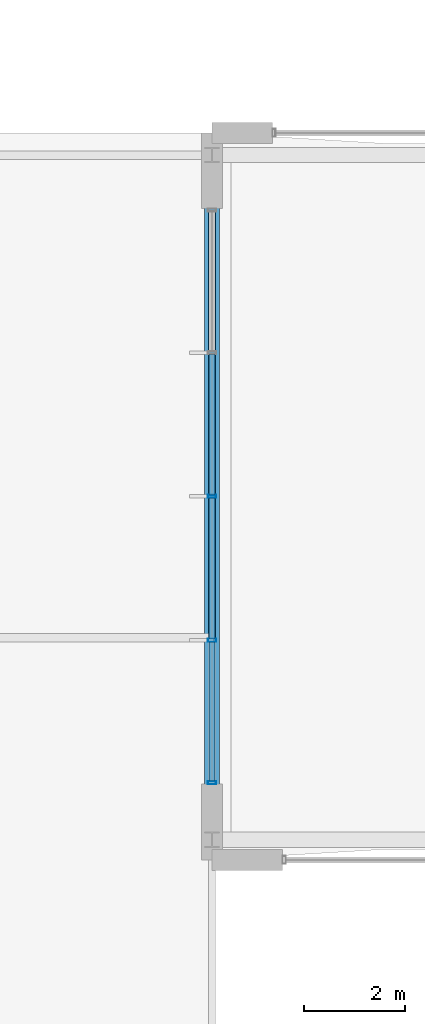
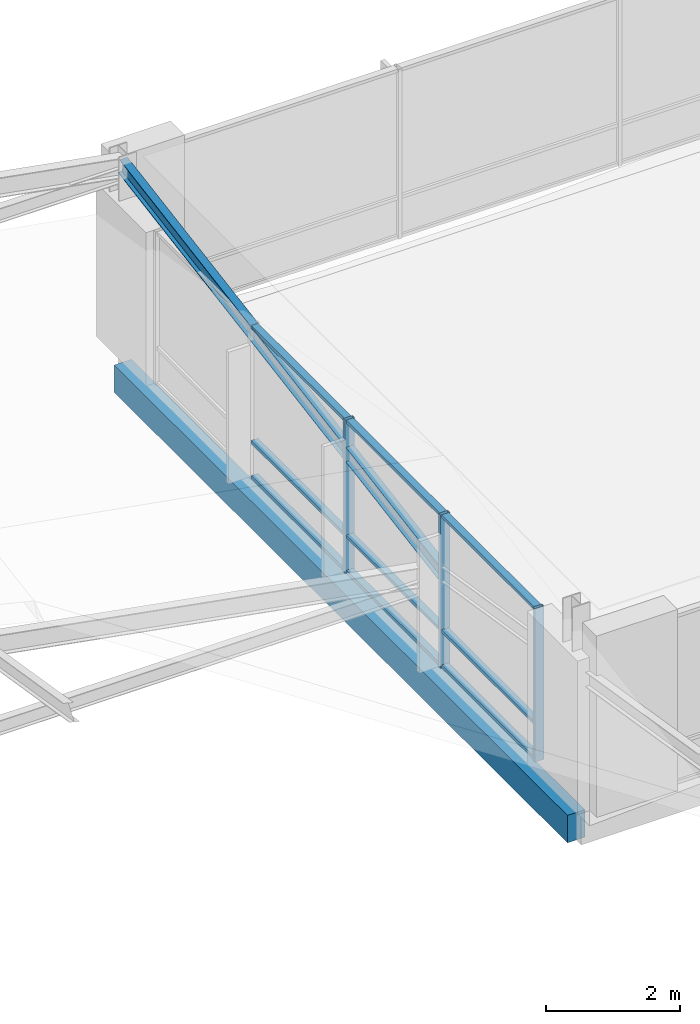
# One storey, part 97 of 189: 13 members, 1 beam, 1 element without a shape of its own.
"""IFC4 building model written with IfcOpenShell, lengths in metres."""

from ifc_helpers import new_model, si_unit, direction, frame, origin, origin_2d, place, context, subcontext, project, spatial, rectangle, hollow_rectangle, i_section, extrude, material, material_profile, profile_set, type_object, element, aggregate, save


model = new_model("IFC4")

# Units and contexts
model_context = context("Model", 3, precision=1e-05, world=origin(), true_north=direction((0.0, 1.0)))
body_context = subcontext(model_context, "Body", "Model", "MODEL_VIEW")
ifc_project = project(units=[si_unit("LENGTHUNIT", "METRE"), si_unit("AREAUNIT", "SQUARE_METRE"), si_unit("VOLUMEUNIT", "CUBIC_METRE"), si_unit("PLANEANGLEUNIT", "RADIAN"), si_unit("MASSUNIT", "GRAM", prefix="KILO")], contexts=[model_context])

# Site, building, storey
site_placement = place(None, origin())
site = spatial("IfcSite", under=ifc_project, at=site_placement, CompositionType="ELEMENT")
building_placement = place(site_placement, origin())
building = spatial("IfcBuilding", under=site, at=building_placement, Name="Zavelmont Quarter", CompositionType="ELEMENT")
storey_placement = place(building_placement, frame((0.0, 0.0, 4.39990234375)))
storey = spatial("IfcBuildingStorey", under=building, at=storey_placement, Name="L01", CompositionType="ELEMENT", Elevation=4.39990234375)

# Beam
ifc_material_1 = material(Name="Concrete C35/45", Category="concrete")
ifc_material_profile_1 = material_profile(ifc_material_1, rectangle(XDim=0.300048828125, YDim=0.5, at=origin_2d()), Name="RC300X500")
ifc_profile_set_1 = profile_set([ifc_material_profile_1], Name="Concrete C35/45")
beam_type = type_object("IfcBeamType", Name="BM03", PredefinedType="BEAM", material=ifc_profile_set_1)
beam_placement = place(storey_placement, frame((92.0, 102.0, -0.52978515625), z_axis=(0.0, 1.0, 0.0), x_axis=(-1.0, 0.0, 0.0)))
element("IfcBeam", 1, at=beam_placement, inside=storey, type_object=beam_type, Name="L01 beam BM03 14/Q to 14/S", PredefinedType="BEAM", context=body_context, shape_type="SweptSolid", body=[
    extrude(rectangle(XDim=0.300048828125, YDim=0.5, at=origin_2d()), origin(), (0.0, 0.0, 1.0), 13.56005859375),
])

# Curtain wall, members
ifc_material_2 = material(Name="Thermally broken aluminium and double low-E safety glazing", Category="aluminium")
curtain_wall_type = type_object("IfcCurtainWallType", Name="CW-1140X280", PredefinedType="NOTDEFINED", material=ifc_material_2)
curtain_wall_placement = place(storey_placement, origin())
curtain_wall = element("IfcCurtainWall", 2, at=curtain_wall_placement, inside=storey, type_object=curtain_wall_type, Name="L01 unitised curtain wall CW-1140X280", PredefinedType="NOTDEFINED")
ifc_material_3 = material(Name="Powder-coated aluminium EN AW-6063-T6", Category="aluminium")
ifc_material_profile_2 = material_profile(ifc_material_3, hollow_rectangle(XDim=0.06005859375, YDim=0.159912109375, WallThickness=0.00390625, at=origin_2d()), Name="CWM60X160")
ifc_profile_set_2 = profile_set([ifc_material_profile_2], Name="Powder-coated aluminium EN AW-6063-T6")
member_type_1 = type_object("IfcMemberType", Name="CWM01", PredefinedType="MULLION", material=ifc_profile_set_2)
member_1_placement = place(storey_placement, frame((92.0, 103.1298828125, 0.0), z_axis=(0.0, 0.0, 1.0), x_axis=(0.0, 1.0, 0.0)))
member_1 = element("IfcMember", 3, at=member_1_placement, type_object=member_type_1, Name="CW-1140X280 mullion 1", PredefinedType="MULLION", context=body_context, shape_type="SweptSolid", body=[
    extrude(hollow_rectangle(XDim=0.06005859375, YDim=0.159912109375, WallThickness=0.00390625, at=origin_2d()), origin(), (0.0, 0.0, 1.0), 2.800048828125),
])
member_2_placement = place(storey_placement, frame((92.0, 105.949951171875, 0.0), z_axis=(0.0, 0.0, 1.0), x_axis=(0.0, 1.0, 0.0)))
member_2 = element("IfcMember", 4, at=member_2_placement, type_object=member_type_1, Name="CW-1140X280 mullion 2", PredefinedType="MULLION", context=body_context, shape_type="SweptSolid", body=[
    extrude(hollow_rectangle(XDim=0.06005859375, YDim=0.159912109375, WallThickness=0.00390625, at=origin_2d()), origin(), (0.0, 0.0, 1.0), 2.800048828125),
])
member_3_placement = place(storey_placement, frame((92.0, 108.800048828125, 0.0), z_axis=(0.0, 0.0, 1.0), x_axis=(0.0, 1.0, 0.0)))
member_3 = element("IfcMember", 5, at=member_3_placement, type_object=member_type_1, Name="CW-1140X280 mullion 3", PredefinedType="MULLION", context=body_context, shape_type="SweptSolid", body=[
    extrude(hollow_rectangle(XDim=0.06005859375, YDim=0.159912109375, WallThickness=0.00390625, at=origin_2d()), origin(), (0.0, 0.0, 1.0), 2.800048828125),
])
ifc_material_profile_3 = material_profile(ifc_material_3, hollow_rectangle(XDim=0.1201171875, YDim=0.06005859375, WallThickness=0.00390625, at=origin_2d()), Name="CWT60X120")
ifc_profile_set_3 = profile_set([ifc_material_profile_3], Name="Powder-coated aluminium EN AW-6063-T6")
member_type_2 = type_object("IfcMemberType", Name="CWT01", PredefinedType="NOTDEFINED", material=ifc_profile_set_3)
member_4_placement = place(storey_placement, frame((92.0, 103.159912109375, 0.030029296875), z_axis=(0.0, 1.0, 0.0), x_axis=(-1.0, 0.0, 0.0)))
member_4 = element("IfcMember", 6, at=member_4_placement, type_object=member_type_2, Name="CW-1140X280 transom 1.1", ObjectType="TRANSOM", PredefinedType="USERDEFINED", context=body_context, shape_type="SweptSolid", body=[
    extrude(hollow_rectangle(XDim=0.1201171875, YDim=0.06005859375, WallThickness=0.00390625, at=origin_2d()), origin(), (0.0, 0.0, 1.0), 2.760009765625),
])
member_5_placement = place(storey_placement, frame((92.0, 103.159912109375, 0.672119140625), z_axis=(0.0, 1.0, 0.0), x_axis=(-1.0, 0.0, 0.0)))
member_5 = element("IfcMember", 7, at=member_5_placement, type_object=member_type_2, Name="CW-1140X280 transom 1.2", ObjectType="TRANSOM", PredefinedType="USERDEFINED", context=body_context, shape_type="SweptSolid", body=[
    extrude(hollow_rectangle(XDim=0.1201171875, YDim=0.06005859375, WallThickness=0.00390625, at=origin_2d()), origin(), (0.0, 0.0, 1.0), 2.760009765625),
])
member_6_placement = place(storey_placement, frame((92.0, 103.159912109375, 2.77001953125), z_axis=(0.0, 1.0, 0.0), x_axis=(-1.0, 0.0, 0.0)))
member_6 = element("IfcMember", 8, at=member_6_placement, type_object=member_type_2, Name="CW-1140X280 transom 1.3", ObjectType="TRANSOM", PredefinedType="USERDEFINED", context=body_context, shape_type="SweptSolid", body=[
    extrude(hollow_rectangle(XDim=0.1201171875, YDim=0.06005859375, WallThickness=0.00390625, at=origin_2d()), origin(), (0.0, 0.0, 1.0), 2.760009765625),
])
member_7_placement = place(storey_placement, frame((92.0, 105.97998046875, 0.030029296875), z_axis=(0.0, 1.0, 0.0), x_axis=(-1.0, 0.0, 0.0)))
member_7 = element("IfcMember", 9, at=member_7_placement, type_object=member_type_2, Name="CW-1140X280 transom 2.1", ObjectType="TRANSOM", PredefinedType="USERDEFINED", context=body_context, shape_type="SweptSolid", body=[
    extrude(hollow_rectangle(XDim=0.1201171875, YDim=0.06005859375, WallThickness=0.00390625, at=origin_2d()), origin(), (0.0, 0.0, 1.0), 2.7900390625),
])
member_8_placement = place(storey_placement, frame((92.0, 105.97998046875, 0.672119140625), z_axis=(0.0, 1.0, 0.0), x_axis=(-1.0, 0.0, 0.0)))
member_8 = element("IfcMember", 10, at=member_8_placement, type_object=member_type_2, Name="CW-1140X280 transom 2.2", ObjectType="TRANSOM", PredefinedType="USERDEFINED", context=body_context, shape_type="SweptSolid", body=[
    extrude(hollow_rectangle(XDim=0.1201171875, YDim=0.06005859375, WallThickness=0.00390625, at=origin_2d()), origin(), (0.0, 0.0, 1.0), 2.7900390625),
])
member_9_placement = place(storey_placement, frame((92.0, 105.97998046875, 2.77001953125), z_axis=(0.0, 1.0, 0.0), x_axis=(-1.0, 0.0, 0.0)))
member_9 = element("IfcMember", 11, at=member_9_placement, type_object=member_type_2, Name="CW-1140X280 transom 2.3", ObjectType="TRANSOM", PredefinedType="USERDEFINED", context=body_context, shape_type="SweptSolid", body=[
    extrude(hollow_rectangle(XDim=0.1201171875, YDim=0.06005859375, WallThickness=0.00390625, at=origin_2d()), origin(), (0.0, 0.0, 1.0), 2.7900390625),
])
member_10_placement = place(storey_placement, frame((92.0, 108.830078125, 0.030029296875), z_axis=(0.0, 1.0, 0.0), x_axis=(-1.0, 0.0, 0.0)))
member_10 = element("IfcMember", 12, at=member_10_placement, type_object=member_type_2, Name="CW-1140X280 transom 3.1", ObjectType="TRANSOM", PredefinedType="USERDEFINED", context=body_context, shape_type="SweptSolid", body=[
    extrude(hollow_rectangle(XDim=0.1201171875, YDim=0.06005859375, WallThickness=0.00390625, at=origin_2d()), origin(), (0.0, 0.0, 1.0), 2.7900390625),
])
member_11_placement = place(storey_placement, frame((92.0, 108.830078125, 0.672119140625), z_axis=(0.0, 1.0, 0.0), x_axis=(-1.0, 0.0, 0.0)))
member_11 = element("IfcMember", 13, at=member_11_placement, type_object=member_type_2, Name="CW-1140X280 transom 3.2", ObjectType="TRANSOM", PredefinedType="USERDEFINED", context=body_context, shape_type="SweptSolid", body=[
    extrude(hollow_rectangle(XDim=0.1201171875, YDim=0.06005859375, WallThickness=0.00390625, at=origin_2d()), origin(), (0.0, 0.0, 1.0), 2.7900390625),
])
member_12_placement = place(storey_placement, frame((92.0, 108.830078125, 2.77001953125), z_axis=(0.0, 1.0, 0.0), x_axis=(-1.0, 0.0, 0.0)))
member_12 = element("IfcMember", 14, at=member_12_placement, type_object=member_type_2, Name="CW-1140X280 transom 3.3", ObjectType="TRANSOM", PredefinedType="USERDEFINED", context=body_context, shape_type="SweptSolid", body=[
    extrude(hollow_rectangle(XDim=0.1201171875, YDim=0.06005859375, WallThickness=0.00390625, at=origin_2d()), origin(), (0.0, 0.0, 1.0), 2.7900390625),
])
aggregate(curtain_wall, [member_1, member_2, member_3, member_4, member_5, member_6, member_7, member_8, member_9, member_10, member_11, member_12])

# Member
ifc_material_4 = material(Name="Steel S355", Category="steel")
ifc_material_profile_4 = material_profile(ifc_material_4, i_section(OverallWidth=0.135009765625, OverallDepth=0.27001953125, WebThickness=0.006591796875, FlangeThickness=0.01025390625, at=origin_2d()), Name="IPE 270")
ifc_profile_set_4 = profile_set([ifc_material_profile_4], Name="Steel S355")
member_type_3 = type_object("IfcMemberType", Name="PR01", PredefinedType="PURLIN", material=ifc_profile_set_4)
member_13_placement = place(storey_placement, frame((92.0, 106.0, 1.7001953125), z_axis=(0.0, 0.985946642344, 0.167060523315), x_axis=(-1.0, 0.0, 0.0)))
element("IfcMember", 15, at=member_13_placement, inside=storey, type_object=member_type_3, Name="L01 member PR01 14/Q to 14/S", PredefinedType="PURLIN", context=body_context, shape_type="SweptSolid", body=[
    extrude(i_section(OverallWidth=0.135009765625, OverallDepth=0.27001953125, WebThickness=0.006591796875, FlangeThickness=0.01025390625, at=origin_2d()), origin(), (0.0, 0.0, 1.0), 9.6962890625),
])

save(model, "model.ifc")
